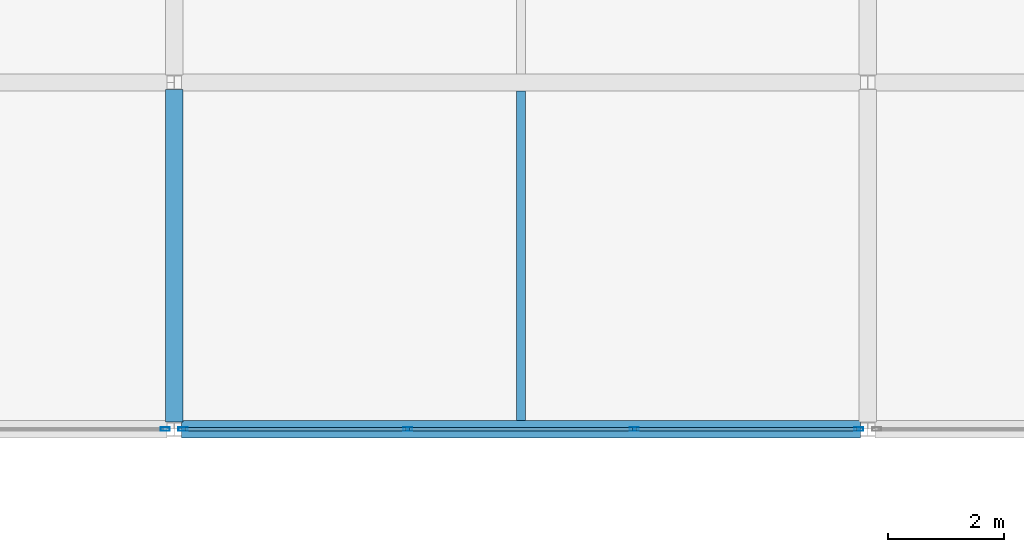
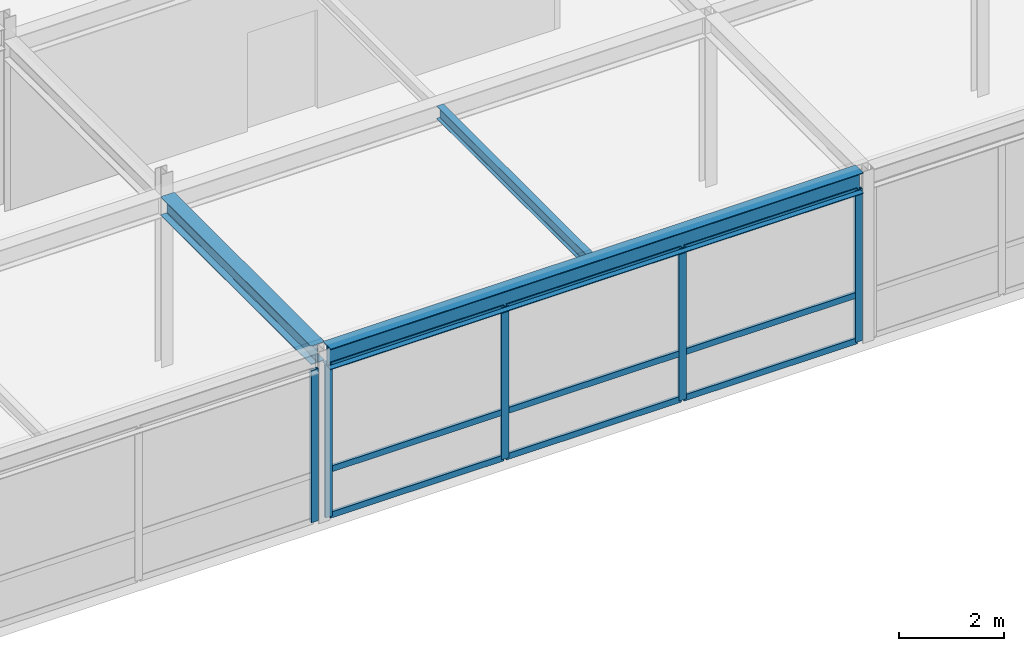
# One storey, part 92 of 111: 14 members, 3 beams, 2 elements without a shape of their own.
"""IFC4 building model written with IfcOpenShell, lengths in metres."""

from ifc_helpers import new_model, si_unit, direction, frame, origin, origin_2d, place, context, subcontext, project, spatial, hollow_rectangle, i_section, extrude, material, layer, layer_set, material_profile, profile_set, type_object, element, aggregate, save


model = new_model("IFC4")

# Units and contexts
model_context = context("Model", 3, precision=1e-05, world=origin(), true_north=direction((0.0, 1.0)))
body_context = subcontext(model_context, "Body", "Model", "MODEL_VIEW")
ifc_project = project(units=[si_unit("LENGTHUNIT", "METRE"), si_unit("AREAUNIT", "SQUARE_METRE"), si_unit("VOLUMEUNIT", "CUBIC_METRE"), si_unit("PLANEANGLEUNIT", "RADIAN"), si_unit("MASSUNIT", "GRAM", prefix="KILO")], contexts=[model_context])

# Site, building, storey
site_placement = place(None, origin())
site = spatial("IfcSite", under=ifc_project, at=site_placement, CompositionType="ELEMENT")
building_placement = place(site_placement, origin())
building = spatial("IfcBuilding", under=site, at=building_placement, Name="Zlatovratsky Civic Hall", CompositionType="ELEMENT")
storey_placement = place(building_placement, frame((0.0, 0.0, 16.5)))
storey = spatial("IfcBuildingStorey", under=building, at=storey_placement, Name="L04", CompositionType="ELEMENT", Elevation=16.5)

# Beams
ifc_material_1 = material(Name="Steel S355", Category="steel")
ifc_material_profile_1 = material_profile(ifc_material_1, i_section(OverallWidth=0.300048828125, OverallDepth=0.487060546875, WebThickness=0.014404296875, FlangeThickness=0.017578125, FilletRadius=0.02392578125, at=origin_2d()), Name="50Sh2")
ifc_profile_set_1 = profile_set([ifc_material_profile_1], Name="Steel S355")
beam_type_1 = type_object("IfcBeamType", Name="Beam_ArchiveGirder_50Sh2", PredefinedType="BEAM", material=ifc_profile_set_1)
beam_1_placement = place(storey_placement, frame((132.125, 66.0, 3.756591796875), z_axis=(1.0, 0.0, 0.0), x_axis=(0.0, 1.0, 0.0)))
element("IfcBeam", 1, at=beam_1_placement, inside=storey, type_object=beam_type_1, Name="BM-3342", PredefinedType="BEAM", context=body_context, shape_type="SweptSolid", body=[
    extrude(i_section(OverallWidth=0.300048828125, OverallDepth=0.487060546875, WebThickness=0.014404296875, FlangeThickness=0.017578125, FilletRadius=0.02392578125, at=origin_2d()), origin(), (0.0, 0.0, 1.0), 11.75),
])
ifc_material_profile_2 = material_profile(ifc_material_1, i_section(OverallWidth=0.300048828125, OverallDepth=0.43994140625, WebThickness=0.010986328125, FlangeThickness=0.01806640625, FilletRadius=0.02197265625, at=origin_2d()), Name="45Sh1")
ifc_profile_set_2 = profile_set([ifc_material_profile_2], Name="Steel S355")
beam_type_2 = type_object("IfcBeamType", Name="Beam_TowerLow_45Sh1", PredefinedType="BEAM", material=ifc_profile_set_2)
beam_2_placement = place(storey_placement, frame((132.0, 66.125, 3.780029296875), z_axis=(0.0, 1.0, 0.0), x_axis=(-1.0, 0.0, 0.0)))
element("IfcBeam", 2, at=beam_2_placement, inside=storey, type_object=beam_type_2, Name="BM-3759", PredefinedType="BEAM", context=body_context, shape_type="SweptSolid", body=[
    extrude(i_section(OverallWidth=0.300048828125, OverallDepth=0.43994140625, WebThickness=0.010986328125, FlangeThickness=0.01806640625, FilletRadius=0.02197265625, at=origin_2d()), origin(), (0.0, 0.0, 1.0), 5.75),
])

# Curtain wall, member
ifc_material_2 = material(Name="Anodised bronze aluminium", Category="aluminium")
ifc_layer = layer(ifc_material_2, 0.159912109375)
ifc_layer_set = layer_set([ifc_layer], Name="Anodised bronze aluminium")
curtain_wall_type = type_object("IfcCurtainWallType", Name="CurtainWall_Bronze_11750x3550_17", PredefinedType="NOTDEFINED", material=ifc_layer_set)
curtain_wall_1_placement = place(storey_placement, origin())
curtain_wall_1 = element("IfcCurtainWall", 3, at=curtain_wall_1_placement, inside=storey, type_object=curtain_wall_type, Name="CW-114", PredefinedType="NOTDEFINED")
ifc_material_profile_3 = material_profile(ifc_material_2, hollow_rectangle(XDim=0.06005859375, YDim=0.159912109375, WallThickness=0.00390625, at=origin_2d()), Name="ALU 60x160x4")
ifc_profile_set_3 = profile_set([ifc_material_profile_3], Name="Anodised bronze aluminium")
member_type_1 = type_object("IfcMemberType", Name="CW_Mullion_60x160", PredefinedType="MULLION", material=ifc_profile_set_3)
member_1_placement = place(storey_placement, frame((131.844970703125, 66.0, 0.0), z_axis=(0.0, 0.0, 1.0), x_axis=(0.0, 1.0, 0.0)))
member_1 = element("IfcMember", 4, at=member_1_placement, type_object=member_type_1, Name="CW-17 mullion 4", PredefinedType="MULLION", context=body_context, shape_type="SweptSolid", body=[
    extrude(hollow_rectangle(XDim=0.06005859375, YDim=0.159912109375, WallThickness=0.00390625, at=origin_2d()), origin(), (0.0, 0.0, 1.0), 3.550048828125),
])
aggregate(curtain_wall_1, [member_1])

# Curtain wall, members
curtain_wall_2_placement = place(storey_placement, origin())
curtain_wall_2 = element("IfcCurtainWall", 5, at=curtain_wall_2_placement, inside=storey, type_object=curtain_wall_type, Name="CW-115", PredefinedType="NOTDEFINED")
member_2_placement = place(storey_placement, frame((132.155029296875, 66.0, 0.0), z_axis=(0.0, 0.0, 1.0), x_axis=(0.0, 1.0, 0.0)))
member_2 = element("IfcMember", 6, at=member_2_placement, type_object=member_type_1, Name="CW-17 mullion 1", PredefinedType="MULLION", context=body_context, shape_type="SweptSolid", body=[
    extrude(hollow_rectangle(XDim=0.06005859375, YDim=0.159912109375, WallThickness=0.00390625, at=origin_2d()), origin(), (0.0, 0.0, 1.0), 3.550048828125),
])
member_3_placement = place(storey_placement, frame((136.041748046875, 66.0, 0.0), z_axis=(0.0, 0.0, 1.0), x_axis=(0.0, 1.0, 0.0)))
member_3 = element("IfcMember", 7, at=member_3_placement, type_object=member_type_1, Name="CW-17 mullion 2", PredefinedType="MULLION", context=body_context, shape_type="SweptSolid", body=[
    extrude(hollow_rectangle(XDim=0.06005859375, YDim=0.159912109375, WallThickness=0.00390625, at=origin_2d()), origin(), (0.0, 0.0, 1.0), 3.550048828125),
])
member_4_placement = place(storey_placement, frame((139.958251953125, 66.0, 0.0), z_axis=(0.0, 0.0, 1.0), x_axis=(0.0, 1.0, 0.0)))
member_4 = element("IfcMember", 8, at=member_4_placement, type_object=member_type_1, Name="CW-17 mullion 3", PredefinedType="MULLION", context=body_context, shape_type="SweptSolid", body=[
    extrude(hollow_rectangle(XDim=0.06005859375, YDim=0.159912109375, WallThickness=0.00390625, at=origin_2d()), origin(), (0.0, 0.0, 1.0), 3.550048828125),
])
member_5_placement = place(storey_placement, frame((143.844970703125, 66.0, 0.0), z_axis=(0.0, 0.0, 1.0), x_axis=(0.0, 1.0, 0.0)))
member_5 = element("IfcMember", 9, at=member_5_placement, type_object=member_type_1, Name="CW-17 mullion 4", PredefinedType="MULLION", context=body_context, shape_type="SweptSolid", body=[
    extrude(hollow_rectangle(XDim=0.06005859375, YDim=0.159912109375, WallThickness=0.00390625, at=origin_2d()), origin(), (0.0, 0.0, 1.0), 3.550048828125),
])
ifc_material_profile_4 = material_profile(ifc_material_2, hollow_rectangle(XDim=0.06005859375, YDim=0.139892578125, WallThickness=0.00390625, at=origin_2d()), Name="ALU 60x140x4")
ifc_profile_set_4 = profile_set([ifc_material_profile_4], Name="Anodised bronze aluminium")
member_type_2 = type_object("IfcMemberType", Name="CW_Transom_60x140", PredefinedType="USERDEFINED", material=ifc_profile_set_4)
member_6_placement = place(storey_placement, frame((132.18505859375, 66.0, 0.030029296875), z_axis=(1.0, 0.0, 0.0), x_axis=(0.0, 1.0, 0.0)))
member_6 = element("IfcMember", 10, at=member_6_placement, type_object=member_type_2, Name="CW-17 transom 1.1", ObjectType="TRANSOM", PredefinedType="USERDEFINED", context=body_context, shape_type="SweptSolid", body=[
    extrude(hollow_rectangle(XDim=0.06005859375, YDim=0.139892578125, WallThickness=0.00390625, at=origin_2d()), origin(), (0.0, 0.0, 1.0), 3.82666015625),
])
member_7_placement = place(storey_placement, frame((132.18505859375, 66.0, 1.10009765625), z_axis=(1.0, 0.0, 0.0), x_axis=(0.0, 1.0, 0.0)))
member_7 = element("IfcMember", 11, at=member_7_placement, type_object=member_type_2, Name="CW-17 transom 1.2", ObjectType="TRANSOM", PredefinedType="USERDEFINED", context=body_context, shape_type="SweptSolid", body=[
    extrude(hollow_rectangle(XDim=0.06005859375, YDim=0.139892578125, WallThickness=0.00390625, at=origin_2d()), origin(), (0.0, 0.0, 1.0), 3.82666015625),
])
member_8_placement = place(storey_placement, frame((132.18505859375, 66.0, 3.52001953125), z_axis=(1.0, 0.0, 0.0), x_axis=(0.0, 1.0, 0.0)))
member_8 = element("IfcMember", 12, at=member_8_placement, type_object=member_type_2, Name="CW-17 transom 1.3", ObjectType="TRANSOM", PredefinedType="USERDEFINED", context=body_context, shape_type="SweptSolid", body=[
    extrude(hollow_rectangle(XDim=0.06005859375, YDim=0.139892578125, WallThickness=0.00390625, at=origin_2d()), origin(), (0.0, 0.0, 1.0), 3.82666015625),
])
member_9_placement = place(storey_placement, frame((136.07177734375, 66.0, 0.030029296875), z_axis=(1.0, 0.0, 0.0), x_axis=(0.0, 1.0, 0.0)))
member_9 = element("IfcMember", 13, at=member_9_placement, type_object=member_type_2, Name="CW-17 transom 2.1", ObjectType="TRANSOM", PredefinedType="USERDEFINED", context=body_context, shape_type="SweptSolid", body=[
    extrude(hollow_rectangle(XDim=0.06005859375, YDim=0.139892578125, WallThickness=0.00390625, at=origin_2d()), origin(), (0.0, 0.0, 1.0), 3.8564453125),
])
member_10_placement = place(storey_placement, frame((136.07177734375, 66.0, 1.10009765625), z_axis=(1.0, 0.0, 0.0), x_axis=(0.0, 1.0, 0.0)))
member_10 = element("IfcMember", 14, at=member_10_placement, type_object=member_type_2, Name="CW-17 transom 2.2", ObjectType="TRANSOM", PredefinedType="USERDEFINED", context=body_context, shape_type="SweptSolid", body=[
    extrude(hollow_rectangle(XDim=0.06005859375, YDim=0.139892578125, WallThickness=0.00390625, at=origin_2d()), origin(), (0.0, 0.0, 1.0), 3.8564453125),
])
member_11_placement = place(storey_placement, frame((136.07177734375, 66.0, 3.52001953125), z_axis=(1.0, 0.0, 0.0), x_axis=(0.0, 1.0, 0.0)))
member_11 = element("IfcMember", 15, at=member_11_placement, type_object=member_type_2, Name="CW-17 transom 2.3", ObjectType="TRANSOM", PredefinedType="USERDEFINED", context=body_context, shape_type="SweptSolid", body=[
    extrude(hollow_rectangle(XDim=0.06005859375, YDim=0.139892578125, WallThickness=0.00390625, at=origin_2d()), origin(), (0.0, 0.0, 1.0), 3.8564453125),
])
member_12_placement = place(storey_placement, frame((139.98828125, 66.0, 0.030029296875), z_axis=(1.0, 0.0, 0.0), x_axis=(0.0, 1.0, 0.0)))
member_12 = element("IfcMember", 16, at=member_12_placement, type_object=member_type_2, Name="CW-17 transom 3.1", ObjectType="TRANSOM", PredefinedType="USERDEFINED", context=body_context, shape_type="SweptSolid", body=[
    extrude(hollow_rectangle(XDim=0.06005859375, YDim=0.139892578125, WallThickness=0.00390625, at=origin_2d()), origin(), (0.0, 0.0, 1.0), 3.82666015625),
])
member_13_placement = place(storey_placement, frame((139.98828125, 66.0, 1.10009765625), z_axis=(1.0, 0.0, 0.0), x_axis=(0.0, 1.0, 0.0)))
member_13 = element("IfcMember", 17, at=member_13_placement, type_object=member_type_2, Name="CW-17 transom 3.2", ObjectType="TRANSOM", PredefinedType="USERDEFINED", context=body_context, shape_type="SweptSolid", body=[
    extrude(hollow_rectangle(XDim=0.06005859375, YDim=0.139892578125, WallThickness=0.00390625, at=origin_2d()), origin(), (0.0, 0.0, 1.0), 3.82666015625),
])
member_14_placement = place(storey_placement, frame((139.98828125, 66.0, 3.52001953125), z_axis=(1.0, 0.0, 0.0), x_axis=(0.0, 1.0, 0.0)))
member_14 = element("IfcMember", 18, at=member_14_placement, type_object=member_type_2, Name="CW-17 transom 3.3", ObjectType="TRANSOM", PredefinedType="USERDEFINED", context=body_context, shape_type="SweptSolid", body=[
    extrude(hollow_rectangle(XDim=0.06005859375, YDim=0.139892578125, WallThickness=0.00390625, at=origin_2d()), origin(), (0.0, 0.0, 1.0), 3.82666015625),
])
aggregate(curtain_wall_2, [member_2, member_3, member_4, member_5, member_6, member_7, member_8, member_9, member_10, member_11, member_12, member_13, member_14])

# Beam
ifc_material_profile_5 = material_profile(ifc_material_1, i_section(OverallWidth=0.14892578125, OverallDepth=0.2958984375, WebThickness=0.005615234375, FlangeThickness=0.008056640625, FilletRadius=0.012939453125, at=origin_2d()), Name="30B1")
ifc_profile_set_5 = profile_set([ifc_material_profile_5], Name="Steel S355")
beam_type_3 = type_object("IfcBeamType", Name="Joist_Tower_30B1", PredefinedType="JOIST", material=ifc_profile_set_5)
beam_3_placement = place(storey_placement, frame((138.0, 66.14990234375, 3.85205078125), z_axis=(0.0, 1.0, 0.0), x_axis=(-1.0, 0.0, 0.0)))
element("IfcBeam", 19, at=beam_3_placement, inside=storey, type_object=beam_type_3, Name="BM-3863", PredefinedType="JOIST", context=body_context, shape_type="SweptSolid", body=[
    extrude(i_section(OverallWidth=0.14892578125, OverallDepth=0.2958984375, WebThickness=0.005615234375, FlangeThickness=0.008056640625, FilletRadius=0.012939453125, at=origin_2d()), origin(), (0.0, 0.0, 1.0), 5.7001953125),
])

save(model, "model.ifc")
